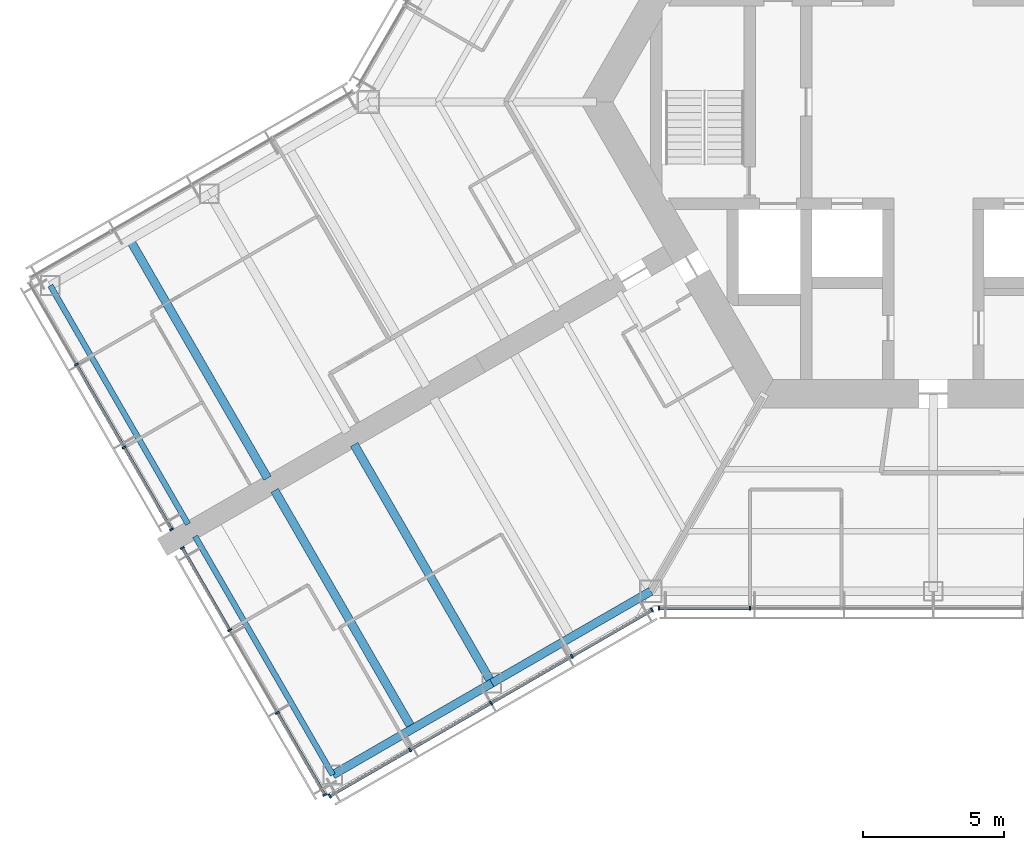
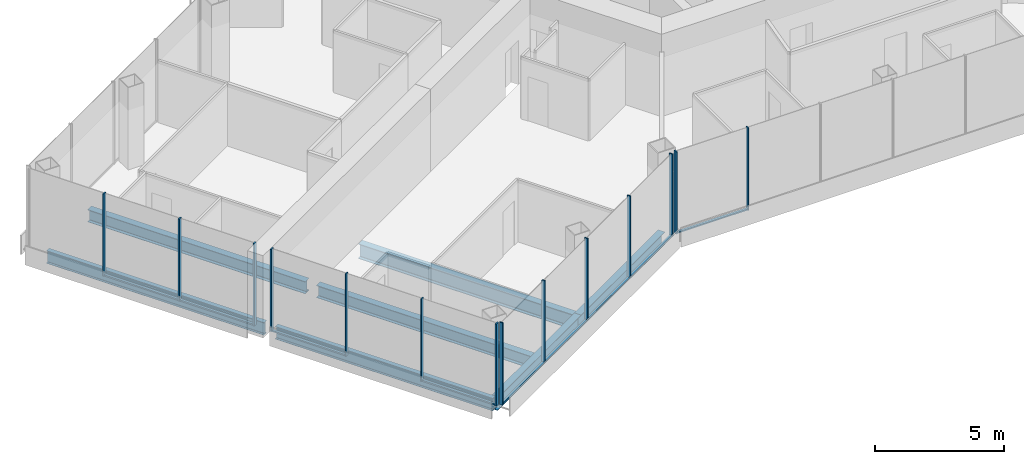
# One storey, part 2 of 19: 23 members, 7 beams, 4 elements without a shape of their own.
"""IFC4 building model written with IfcOpenShell, lengths in metres."""

from ifc_helpers import new_model, si_unit, direction, frame, origin, origin_2d, place, context, subcontext, project, spatial, rectangle, i_section, extrude, material, material_profile, profile_set, type_object, element, aggregate, save


model = new_model("IFC4")

# Units and contexts
model_context = context("Model", 3, precision=1e-05, world=origin(), true_north=direction((0.0, 1.0)))
body_context = subcontext(model_context, "Body", "Model", "MODEL_VIEW")
ifc_project = project(units=[si_unit("LENGTHUNIT", "METRE"), si_unit("AREAUNIT", "SQUARE_METRE"), si_unit("VOLUMEUNIT", "CUBIC_METRE"), si_unit("PLANEANGLEUNIT", "RADIAN"), si_unit("MASSUNIT", "GRAM", prefix="KILO")], contexts=[model_context])

# Site, building, storey
site_placement = place(None, origin())
site = spatial("IfcSite", under=ifc_project, at=site_placement, CompositionType="ELEMENT")
building_placement = place(site_placement, origin())
building = spatial("IfcBuilding", under=site, at=building_placement, Name="Kasaneha Research Tower", CompositionType="ELEMENT")
storey_placement = place(building_placement, frame((0.0, 0.0, 160.39990234375)))
storey = spatial("IfcBuildingStorey", under=building, at=storey_placement, Name="L40", CompositionType="ELEMENT", Elevation=160.39990234375)

# Beams
ifc_material_1 = material(Name="Steel SN490B", Category="steel")
ifc_material_profile_1 = material_profile(ifc_material_1, i_section(OverallWidth=0.300048828125, OverallDepth=0.58203125, WebThickness=0.011962890625, FlangeThickness=0.01708984375, FilletRadius=0.012939453125, at=origin_2d()), Name="H-582x300x12x17")
ifc_profile_set_1 = profile_set([ifc_material_profile_1], Name="Steel SN490B")
beam_type_1 = type_object("IfcBeamType", Name="B2-3 secondary beam H-582x300x12x17", PredefinedType="JOIST", material=ifc_profile_set_1)
for number, where, z_axis, x_axis, name in (
    (1, (-28.44384765625, -4.875, -0.44091796875), (0.499995560238, -0.866027967067, 0.0), (0.866027967067, 0.499995560238, 0.0), "Secondary beam WBBP2 L40"),
    (2, (-18.44384765625, -22.195556640625, -0.44091796875), (-0.499995560238, 0.866027967067, 0.0), (-0.866027967067, -0.499995560238, 0.0), "Secondary beam WBBN2 L40"),
):
    element("IfcBeam", number, at=place(storey_placement, frame(where, z_axis=z_axis, x_axis=x_axis)), inside=storey, type_object=beam_type_1, Name=name, PredefinedType="JOIST", context=body_context, shape_type="SweptSolid", body=[
        extrude(i_section(OverallWidth=0.300048828125, OverallDepth=0.58203125, WebThickness=0.011962890625, FlangeThickness=0.01708984375, FilletRadius=0.012939453125, at=origin_2d()), origin(), (0.0, 0.0, 1.0), 9.75),
    ])

# Curtain wall, members
ifc_material_2 = material(Name="Glass and aluminium", Category="aluminium")
curtain_wall_type = type_object("IfcCurtainWallType", Name="Mid-rise office curtain wall", PredefinedType="USERDEFINED", material=ifc_material_2)
curtain_wall_1_placement = place(storey_placement, origin())
curtain_wall_1 = element("IfcCurtainWall", 3, at=curtain_wall_1_placement, inside=storey, type_object=curtain_wall_type, Name="CW-O2 L40 run 01a", ObjectType="UNITISED CURTAIN WALL", PredefinedType="USERDEFINED")
ifc_material_3 = material(Name="Aluminium 6063-T6", Category="aluminium")
ifc_material_profile_2 = material_profile(ifc_material_3, rectangle(XDim=0.06005859375, YDim=0.14990234375, at=origin_2d()), Name="CW-O2 mullion 60x150")
ifc_profile_set_2 = profile_set([ifc_material_profile_2], Name="Aluminium 6063-T6")
member_type_1 = type_object("IfcMemberType", Name="CW-O2 mullion", PredefinedType="MULLION", material=ifc_profile_set_2)
member_1_placement = place(storey_placement, frame((-9.709228515625, -17.92041015625, 0.0), z_axis=(0.0, 0.0, 1.0), x_axis=(1.0, 0.0, 0.0)))
member_1 = element("IfcMember", 4, at=member_1_placement, type_object=member_type_1, Name="CW-O2 mullion 1", PredefinedType="MULLION", context=body_context, shape_type="SweptSolid", body=[
    extrude(rectangle(XDim=0.06005859375, YDim=0.14990234375, at=origin_2d()), origin(), (0.0, 0.0, 1.0), 3.900146484375),
])
member_2_placement = place(storey_placement, frame((-6.492919921875, -17.92041015625, 0.0), z_axis=(0.0, 0.0, 1.0), x_axis=(1.0, 0.0, 0.0)))
member_2 = element("IfcMember", 5, at=member_2_placement, type_object=member_type_1, Name="CW-O2 mullion 2", PredefinedType="MULLION", context=body_context, shape_type="SweptSolid", body=[
    extrude(rectangle(XDim=0.06005859375, YDim=0.14990234375, at=origin_2d()), origin(), (0.0, 0.0, 1.0), 3.900146484375),
])

curtain_wall_2_placement = place(storey_placement, origin())
curtain_wall_2 = element("IfcCurtainWall", 6, at=curtain_wall_2_placement, inside=storey, type_object=curtain_wall_type, Name="CW-O2 L40 run 10a", ObjectType="UNITISED CURTAIN WALL", PredefinedType="USERDEFINED")
member_3_placement = place(storey_placement, frame((-30.336181640625, -9.297119140625, 0.0), z_axis=(0.0, 0.0, 1.0), x_axis=(0.500000011442, -0.866025397178, 0.0)))
member_3 = element("IfcMember", 7, at=member_3_placement, type_object=member_type_1, Name="CW-O2 mullion 2", PredefinedType="MULLION", context=body_context, shape_type="SweptSolid", body=[
    extrude(rectangle(XDim=0.06005859375, YDim=0.14990234375, at=origin_2d()), origin(), (0.0, 0.0, 1.0), 3.900146484375),
])
member_4_placement = place(storey_placement, frame((-28.64453125, -12.22705078125, 0.0), z_axis=(0.0, 0.0, 1.0), x_axis=(0.500000011442, -0.866025397178, 0.0)))
member_4 = element("IfcMember", 8, at=member_4_placement, type_object=member_type_1, Name="CW-O2 mullion 3", PredefinedType="MULLION", context=body_context, shape_type="SweptSolid", body=[
    extrude(rectangle(XDim=0.06005859375, YDim=0.14990234375, at=origin_2d()), origin(), (0.0, 0.0, 1.0), 3.900146484375),
])
member_5_placement = place(storey_placement, frame((-26.968017578125, -15.131103515625, 0.0), z_axis=(0.0, 0.0, 1.0), x_axis=(0.500000011442, -0.866025397178, 0.0)))
member_5 = element("IfcMember", 9, at=member_5_placement, type_object=member_type_1, Name="CW-O2 mullion 4", PredefinedType="MULLION", context=body_context, shape_type="SweptSolid", body=[
    extrude(rectangle(XDim=0.06005859375, YDim=0.14990234375, at=origin_2d()), origin(), (0.0, 0.0, 1.0), 3.900146484375),
])

curtain_wall_3_placement = place(storey_placement, origin())
curtain_wall_3 = element("IfcCurtainWall", 10, at=curtain_wall_3_placement, inside=storey, type_object=curtain_wall_type, Name="CW-O2 L40 run 11a", ObjectType="UNITISED CURTAIN WALL", PredefinedType="USERDEFINED")
member_6_placement = place(storey_placement, frame((-26.587890625, -15.789306640625, 0.0), z_axis=(0.0, 0.0, 1.0), x_axis=(0.500000011442, -0.866025397178, 0.0)))
member_6 = element("IfcMember", 11, at=member_6_placement, type_object=member_type_1, Name="CW-O2 mullion 1", PredefinedType="MULLION", context=body_context, shape_type="SweptSolid", body=[
    extrude(rectangle(XDim=0.06005859375, YDim=0.14990234375, at=origin_2d()), origin(), (0.0, 0.0, 1.0), 3.900146484375),
])
member_7_placement = place(storey_placement, frame((-24.911376953125, -18.693359375, 0.0), z_axis=(0.0, 0.0, 1.0), x_axis=(0.500000011442, -0.866025397178, 0.0)))
member_7 = element("IfcMember", 12, at=member_7_placement, type_object=member_type_1, Name="CW-O2 mullion 2", PredefinedType="MULLION", context=body_context, shape_type="SweptSolid", body=[
    extrude(rectangle(XDim=0.06005859375, YDim=0.14990234375, at=origin_2d()), origin(), (0.0, 0.0, 1.0), 3.900146484375),
])
member_8_placement = place(storey_placement, frame((-23.2197265625, -21.62353515625, 0.0), z_axis=(0.0, 0.0, 1.0), x_axis=(0.500000011442, -0.866025397178, 0.0)))
member_8 = element("IfcMember", 13, at=member_8_placement, type_object=member_type_1, Name="CW-O2 mullion 3", PredefinedType="MULLION", context=body_context, shape_type="SweptSolid", body=[
    extrude(rectangle(XDim=0.06005859375, YDim=0.14990234375, at=origin_2d()), origin(), (0.0, 0.0, 1.0), 3.900146484375),
])
member_9_placement = place(storey_placement, frame((-21.54296875, -24.527587890625, 0.0), z_axis=(0.0, 0.0, 1.0), x_axis=(0.500000011442, -0.866025397178, 0.0)))
member_9 = element("IfcMember", 14, at=member_9_placement, type_object=member_type_1, Name="CW-O2 mullion 4", PredefinedType="MULLION", context=body_context, shape_type="SweptSolid", body=[
    extrude(rectangle(XDim=0.06005859375, YDim=0.14990234375, at=origin_2d()), origin(), (0.0, 0.0, 1.0), 3.900146484375),
])

curtain_wall_4_placement = place(storey_placement, origin())
curtain_wall_4 = element("IfcCurtainWall", 15, at=curtain_wall_4_placement, inside=storey, type_object=curtain_wall_type, Name="CW-O2 L40 run 12a", ObjectType="UNITISED CURTAIN WALL", PredefinedType="USERDEFINED")
member_10_placement = place(storey_placement, frame((-21.365478515625, -24.5751953125, 0.0), z_axis=(0.0, 0.0, 1.0), x_axis=(0.866025411464, 0.499999986699, 0.0)))
member_10 = element("IfcMember", 16, at=member_10_placement, type_object=member_type_1, Name="CW-O2 mullion 1", PredefinedType="MULLION", context=body_context, shape_type="SweptSolid", body=[
    extrude(rectangle(XDim=0.06005859375, YDim=0.14990234375, at=origin_2d()), origin(), (0.0, 0.0, 1.0), 3.900146484375),
])
member_11_placement = place(storey_placement, frame((-18.52490234375, -22.935302734375, 0.0), z_axis=(0.0, 0.0, 1.0), x_axis=(0.866025411464, 0.499999986699, 0.0)))
member_11 = element("IfcMember", 17, at=member_11_placement, type_object=member_type_1, Name="CW-O2 mullion 2", PredefinedType="MULLION", context=body_context, shape_type="SweptSolid", body=[
    extrude(rectangle(XDim=0.06005859375, YDim=0.14990234375, at=origin_2d()), origin(), (0.0, 0.0, 1.0), 3.900146484375),
])
member_12_placement = place(storey_placement, frame((-15.65869140625, -21.2802734375, 0.0), z_axis=(0.0, 0.0, 1.0), x_axis=(0.866025411464, 0.499999986699, 0.0)))
member_12 = element("IfcMember", 18, at=member_12_placement, type_object=member_type_1, Name="CW-O2 mullion 3", PredefinedType="MULLION", context=body_context, shape_type="SweptSolid", body=[
    extrude(rectangle(XDim=0.06005859375, YDim=0.14990234375, at=origin_2d()), origin(), (0.0, 0.0, 1.0), 3.900146484375),
])
member_13_placement = place(storey_placement, frame((-12.792236328125, -19.62548828125, 0.0), z_axis=(0.0, 0.0, 1.0), x_axis=(0.866025411464, 0.499999986699, 0.0)))
member_13 = element("IfcMember", 19, at=member_13_placement, type_object=member_type_1, Name="CW-O2 mullion 4", PredefinedType="MULLION", context=body_context, shape_type="SweptSolid", body=[
    extrude(rectangle(XDim=0.06005859375, YDim=0.14990234375, at=origin_2d()), origin(), (0.0, 0.0, 1.0), 3.900146484375),
])
member_14_placement = place(storey_placement, frame((-9.951904296875, -17.985595703125, 0.0), z_axis=(0.0, 0.0, 1.0), x_axis=(0.866025411464, 0.499999986699, 0.0)))
member_14 = element("IfcMember", 20, at=member_14_placement, type_object=member_type_1, Name="CW-O2 mullion 5", PredefinedType="MULLION", context=body_context, shape_type="SweptSolid", body=[
    extrude(rectangle(XDim=0.06005859375, YDim=0.14990234375, at=origin_2d()), origin(), (0.0, 0.0, 1.0), 3.900146484375),
])

# Member
ifc_material_4 = material(Name="Aluminium 6063-T6", Category="aluminium")
ifc_material_profile_3 = material_profile(ifc_material_4, rectangle(XDim=0.110107421875, YDim=0.06005859375, at=origin_2d()), Name="CW-O2 transom 110x60")
ifc_profile_set_3 = profile_set([ifc_material_profile_3], Name="Aluminium 6063-T6")
member_type_2 = type_object("IfcMemberType", Name="CW-O2 transom", PredefinedType="USERDEFINED", material=ifc_profile_set_3)
member_15_placement = place(storey_placement, frame((-9.67919921875, -17.92041015625, 0.030029296875), z_axis=(1.0, 0.0, 0.0), x_axis=(0.0, 1.0, 0.0)))
member_15 = element("IfcMember", 21, at=member_15_placement, type_object=member_type_2, Name="CW-O2 transom 1", ObjectType="TRANSOM", PredefinedType="USERDEFINED", context=body_context, shape_type="SweptSolid", body=[
    extrude(rectangle(XDim=0.110107421875, YDim=0.06005859375, at=origin_2d()), origin(), (0.0, 0.0, 1.0), 3.156494140625),
])

aggregate(curtain_wall_1, [member_1, member_2, member_15])

member_16_placement = place(storey_placement, frame((-30.3212890625, -9.322998046875, 0.030029296875), z_axis=(0.499978935311, -0.866037565146, 0.0), x_axis=(0.866037565146, 0.499978935311, 0.0)))
member_16 = element("IfcMember", 22, at=member_16_placement, type_object=member_type_2, Name="CW-O2 transom 2", ObjectType="TRANSOM", PredefinedType="USERDEFINED", context=body_context, shape_type="SweptSolid", body=[
    extrude(rectangle(XDim=0.110107421875, YDim=0.06005859375, at=origin_2d()), origin(), (0.0, 0.0, 1.0), 3.323486328125),
])

member_17_placement = place(storey_placement, frame((-28.629638671875, -12.253173828125, 0.030029296875), z_axis=(0.500021914551, -0.866012751043, 0.0), x_axis=(0.866012751043, 0.500021914551, 0.0)))
member_17 = element("IfcMember", 23, at=member_17_placement, type_object=member_type_2, Name="CW-O2 transom 3", ObjectType="TRANSOM", PredefinedType="USERDEFINED", context=body_context, shape_type="SweptSolid", body=[
    extrude(rectangle(XDim=0.110107421875, YDim=0.06005859375, at=origin_2d()), origin(), (0.0, 0.0, 1.0), 3.293212890625),
])

aggregate(curtain_wall_2, [member_3, member_4, member_5, member_16, member_17])

member_18_placement = place(storey_placement, frame((-26.572998046875, -15.8154296875, 0.030029296875), z_axis=(0.500021914551, -0.866012751043, 0.0), x_axis=(0.866012751043, 0.500021914551, 0.0)))
member_18 = element("IfcMember", 24, at=member_18_placement, type_object=member_type_2, Name="CW-O2 transom 1", ObjectType="TRANSOM", PredefinedType="USERDEFINED", context=body_context, shape_type="SweptSolid", body=[
    extrude(rectangle(XDim=0.110107421875, YDim=0.06005859375, at=origin_2d()), origin(), (0.0, 0.0, 1.0), 3.293212890625),
])

member_19_placement = place(storey_placement, frame((-23.20458984375, -21.6494140625, 0.030029296875), z_axis=(0.500021914551, -0.866012751043, 0.0), x_axis=(0.866012751043, 0.500021914551, 0.0)))
member_19 = element("IfcMember", 25, at=member_19_placement, type_object=member_type_2, Name="CW-O2 transom 3", ObjectType="TRANSOM", PredefinedType="USERDEFINED", context=body_context, shape_type="SweptSolid", body=[
    extrude(rectangle(XDim=0.110107421875, YDim=0.06005859375, at=origin_2d()), origin(), (0.0, 0.0, 1.0), 3.293212890625),
])

aggregate(curtain_wall_3, [member_6, member_7, member_8, member_9, member_18, member_19])

member_20_placement = place(storey_placement, frame((-21.33935546875, -24.56005859375, 0.030029296875), z_axis=(0.866022692473, 0.500004696101, 0.0), x_axis=(-0.500004696101, 0.866022692473, 0.0)))
member_20 = element("IfcMember", 26, at=member_20_placement, type_object=member_type_2, Name="CW-O2 transom 1", ObjectType="TRANSOM", PredefinedType="USERDEFINED", context=body_context, shape_type="SweptSolid", body=[
    extrude(rectangle(XDim=0.110107421875, YDim=0.06005859375, at=origin_2d()), origin(), (0.0, 0.0, 1.0), 3.2197265625),
])

member_21_placement = place(storey_placement, frame((-18.4990234375, -22.920166015625, 0.030029296875), z_axis=(0.86604797581, 0.499960902066, 0.0), x_axis=(-0.499960902066, 0.86604797581, 0.0)))
member_21 = element("IfcMember", 27, at=member_21_placement, type_object=member_type_2, Name="CW-O2 transom 2", ObjectType="TRANSOM", PredefinedType="USERDEFINED", context=body_context, shape_type="SweptSolid", body=[
    extrude(rectangle(XDim=0.110107421875, YDim=0.06005859375, at=origin_2d()), origin(), (0.0, 0.0, 1.0), 3.249755859375),
])

member_22_placement = place(storey_placement, frame((-15.632568359375, -21.265380859375, 0.030029296875), z_axis=(0.866015446554, 0.500017246033, 0.0), x_axis=(-0.500017246033, 0.866015446554, 0.0)))
member_22 = element("IfcMember", 28, at=member_22_placement, type_object=member_type_2, Name="CW-O2 transom 3", ObjectType="TRANSOM", PredefinedType="USERDEFINED", context=body_context, shape_type="SweptSolid", body=[
    extrude(rectangle(XDim=0.110107421875, YDim=0.06005859375, at=origin_2d()), origin(), (0.0, 0.0, 1.0), 3.25),
])

member_23_placement = place(storey_placement, frame((-12.76611328125, -19.6103515625, 0.030029296875), z_axis=(0.866022692473, 0.500004696101, 0.0), x_axis=(-0.500004696101, 0.866022692473, 0.0)))
member_23 = element("IfcMember", 29, at=member_23_placement, type_object=member_type_2, Name="CW-O2 transom 4", ObjectType="TRANSOM", PredefinedType="USERDEFINED", context=body_context, shape_type="SweptSolid", body=[
    extrude(rectangle(XDim=0.110107421875, YDim=0.06005859375, at=origin_2d()), origin(), (0.0, 0.0, 1.0), 3.2197265625),
])

aggregate(curtain_wall_4, [member_10, member_11, member_12, member_13, member_14, member_20, member_21, member_22, member_23])

# Beams
ifc_material_5 = material(Name="Steel SN490B", Category="steel")
ifc_material_profile_4 = material_profile(ifc_material_5, i_section(OverallWidth=0.300048828125, OverallDepth=0.699951171875, WebThickness=0.012939453125, FlangeThickness=0.02392578125, FilletRadius=0.01806640625, at=origin_2d()), Name="H-700x300x13x24")
ifc_profile_set_4 = profile_set([ifc_material_profile_4], Name="Steel SN490B")
beam_type_2 = type_object("IfcBeamType", Name="G4-3 wing girder H-700x300x13x24", PredefinedType="BEAM", material=ifc_profile_set_4)
beam_placement = place(storey_placement, frame((-15.629150390625, -20.570556640625, -0.5), z_axis=(-0.499995560238, 0.866027967067, 0.0), x_axis=(-0.866027967067, -0.499995560238, 0.0)))
element("IfcBeam", 30, at=beam_placement, inside=storey, type_object=beam_type_2, Name="Wing girder WGBN L40", PredefinedType="BEAM", context=body_context, shape_type="SweptSolid", body=[
    extrude(i_section(OverallWidth=0.300048828125, OverallDepth=0.699951171875, WebThickness=0.012939453125, FlangeThickness=0.02392578125, FilletRadius=0.01806640625, at=origin_2d()), origin(), (0.0, 0.0, 1.0), 9.75),
])
ifc_material_6 = material(Name="Steel SN490B", Category="steel")
ifc_material_profile_5 = material_profile(ifc_material_6, i_section(OverallWidth=0.300048828125, OverallDepth=0.58203125, WebThickness=0.011962890625, FlangeThickness=0.01708984375, FilletRadius=0.012939453125, at=origin_2d()), Name="H-582x300x12x17")
ifc_profile_set_5 = profile_set([ifc_material_profile_5], Name="Steel SN490B")
beam_type_3 = type_object("IfcBeamType", Name="SB2-3 spandrel beam H-582x300x12x17", PredefinedType="SPANDREL", material=ifc_profile_set_5)
for number, where, z_axis, x_axis, name in (
    (31, (-10.0, -17.320556640625, -0.44091796875), (-0.866024837091, -0.50000098154, 0.0), (0.50000098154, -0.866024837091, 0.0), "Spandrel beam WSBN1 L40"),
    (32, (-15.629150390625, -20.570556640625, -0.44091796875), (-0.866024837091, -0.50000098154, 0.0), (0.50000098154, -0.866024837091, 0.0), "Spandrel beam WSBN2 L40"),
):
    element("IfcBeam", number, at=place(storey_placement, frame(where, z_axis=z_axis, x_axis=x_axis)), inside=storey, type_object=beam_type_3, Name=name, PredefinedType="SPANDREL", context=body_context, shape_type="SweptSolid", body=[
        extrude(i_section(OverallWidth=0.300048828125, OverallDepth=0.58203125, WebThickness=0.011962890625, FlangeThickness=0.01708984375, FilletRadius=0.012939453125, at=origin_2d()), origin(), (0.0, 0.0, 1.0), 6.5),
    ])
ifc_material_7 = material(Name="Steel SN490B", Category="steel")
ifc_material_profile_6 = material_profile(ifc_material_7, i_section(OverallWidth=0.199951171875, OverallDepth=0.60009765625, WebThickness=0.010986328125, FlangeThickness=0.01708984375, FilletRadius=0.012939453125, at=origin_2d()), Name="H-600x200x11x17")
ifc_profile_set_6 = profile_set([ifc_material_profile_6], Name="Steel SN490B")
beam_type_4 = type_object("IfcBeamType", Name="SB3-3 spandrel beam H-600x200x11x17", PredefinedType="SPANDREL", material=ifc_profile_set_6)
for number, where, z_axis, x_axis, name in (
    (33, (-31.25830078125, -6.5, -0.449951171875), (0.499995560238, -0.866027967067, 0.0), (0.866027967067, 0.499995560238, 0.0), "Spandrel beam WTBP L40"),
    (34, (-21.25830078125, -23.820556640625, -0.449951171875), (-0.499995560238, 0.866027967067, 0.0), (-0.866027967067, -0.499995560238, 0.0), "Spandrel beam WTBN L40"),
):
    element("IfcBeam", number, at=place(storey_placement, frame(where, z_axis=z_axis, x_axis=x_axis)), inside=storey, type_object=beam_type_4, Name=name, PredefinedType="SPANDREL", context=body_context, shape_type="SweptSolid", body=[
        extrude(i_section(OverallWidth=0.199951171875, OverallDepth=0.60009765625, WebThickness=0.010986328125, FlangeThickness=0.01708984375, FilletRadius=0.012939453125, at=origin_2d()), origin(), (0.0, 0.0, 1.0), 9.75),
    ])

save(model, "model.ifc")
